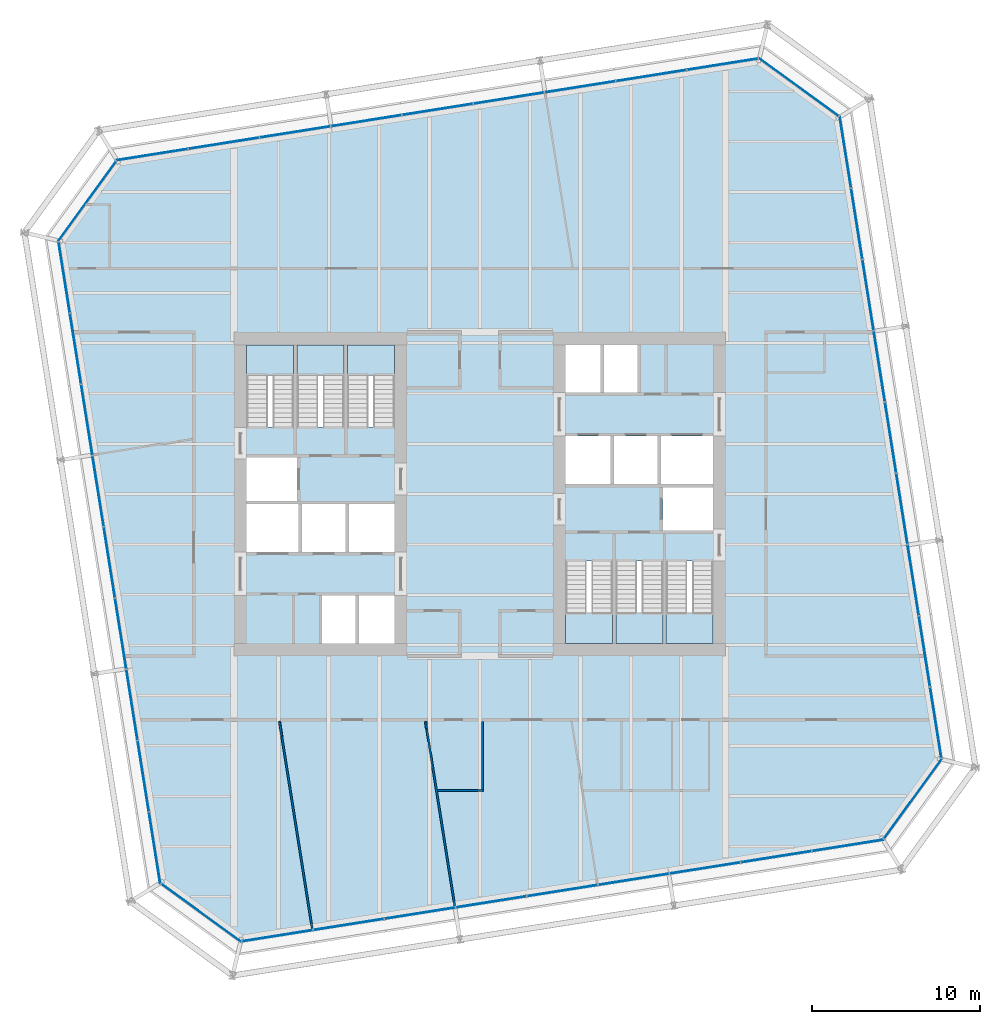
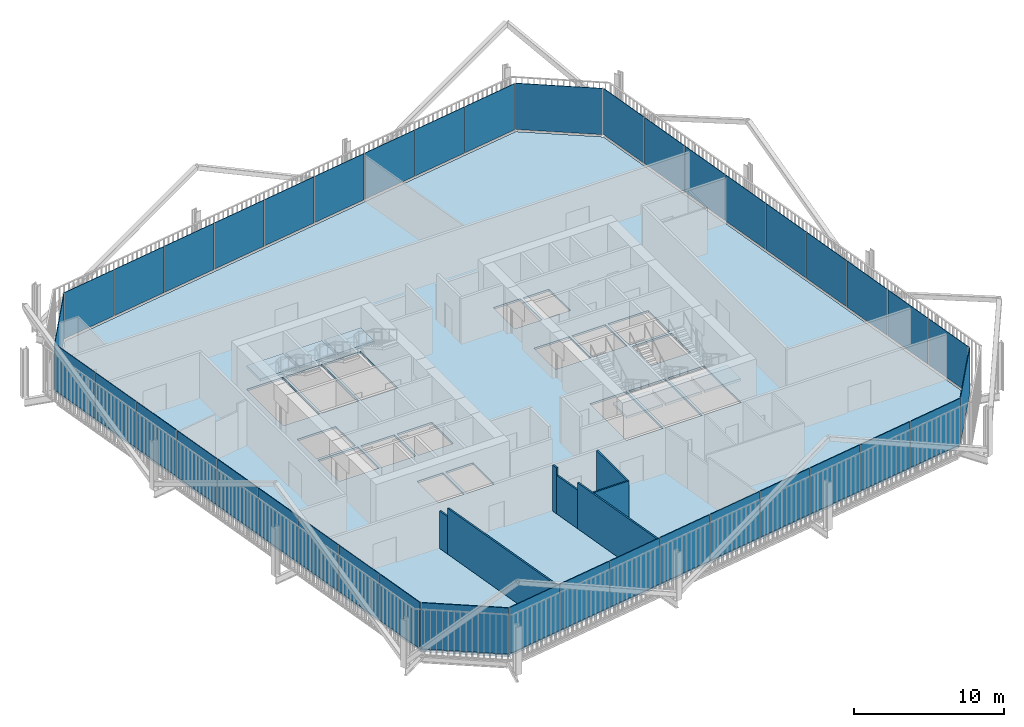
# One storey, part 17 of 22: 40 plates, 7 slabs, 7 walls, 14 elements without a shape of their own.
"""IFC4 building model written with IfcOpenShell, lengths in metres."""

from ifc_helpers import new_model, si_unit, direction, frame, frame_2d, origin, place, context, subcontext, project, spatial, polyline, rectangle, outline, extrude, material, layer, layer_set, type_object, element, aggregate, save


model = new_model("IFC4")

# Units and contexts
model_context = context("Model", 3, precision=1e-05, world=origin(), true_north=direction((0.0, 1.0)))
body_context = subcontext(model_context, "Body", "Model", "MODEL_VIEW")
ifc_project = project(units=[si_unit("LENGTHUNIT", "METRE"), si_unit("AREAUNIT", "SQUARE_METRE"), si_unit("VOLUMEUNIT", "CUBIC_METRE"), si_unit("PLANEANGLEUNIT", "RADIAN"), si_unit("MASSUNIT", "GRAM", prefix="KILO")], contexts=[model_context])

# Site, building, storey
site_placement = place(None, origin())
site = spatial("IfcSite", under=ifc_project, at=site_placement, CompositionType="ELEMENT")
building_placement = place(site_placement, origin())
building = spatial("IfcBuilding", under=site, at=building_placement, Name="Millrace Tower", CompositionType="ELEMENT")
storey_placement = place(building_placement, frame((0.0, 0.0, 145.10009765625)))
storey = spatial("IfcBuildingStorey", under=building, at=storey_placement, Name="L32", CompositionType="ELEMENT", Elevation=145.10009765625)

# Curtain wall, plate
ifc_material_1 = material(Name="Aluminium and glass", Category="aluminium")
ifc_layer_1 = layer(ifc_material_1, 0.14990234375)
ifc_layer_set_1 = layer_set([ifc_layer_1], Name="Aluminium and glass")
curtain_wall_type = type_object("IfcCurtainWallType", Name="CW-1 office vision curtain wall", PredefinedType="NOTDEFINED", material=ifc_layer_set_1)
placement_1 = place(storey_placement, origin())
curtain_wall_1 = element("IfcCurtainWall", 1, at=placement_1, inside=storey, type_object=curtain_wall_type, Name="Curtain wall C-F01 L32", PredefinedType="NOTDEFINED")
ifc_material_2 = material(Name="Glass", Category="glass")
ifc_layer_2 = layer(ifc_material_2, 0.0439453125)
ifc_layer_set_2 = layer_set([ifc_layer_2], Name="Glass")
plate_type = type_object("IfcPlateType", Name="CW-1 office vision curtain wall triple-glazed vision panel", PredefinedType="CURTAIN_PANEL", material=ifc_layer_set_2)
placement_2 = place(storey_placement, frame((0.0, 0.0, 0.139892578125)))
plate_1 = element("IfcPlate", 2, at=placement_2, type_object=plate_type, Name="CW1 panel C-F01.1", PredefinedType="CURTAIN_PANEL", context=body_context, shape_type="SweptSolid", body=[
    extrude(outline(polyline([(-18.988037109375, -23.254638671875), (-14.260009765625, -26.689697265625), (-14.2490234375, -26.6435546875), (-18.962158203125, -23.218994140625), (-18.988037109375, -23.254638671875)])), origin(), (0.0, 0.0, 1.0), 3.760009765625),
])
aggregate(curtain_wall_1, [plate_1])

# Curtain wall, plates
curtain_wall_2 = element("IfcCurtainWall", 3, at=placement_1, inside=storey, type_object=curtain_wall_type, Name="Curtain wall C-F02 L32", PredefinedType="NOTDEFINED")
plate_2 = element("IfcPlate", 4, at=placement_2, type_object=plate_type, Name="CW1 panel C-F02.1", PredefinedType="CURTAIN_PANEL", context=body_context, shape_type="SweptSolid", body=[
    extrude(outline(polyline([(-14.15625, -26.67333984375), (-9.973388671875, -26.0107421875), (-9.980224609375, -25.96728515625), (-14.1630859375, -26.6298828125), (-14.15625, -26.67333984375)])), origin(), (0.0, 0.0, 1.0), 3.760009765625),
])
plate_3 = element("IfcPlate", 5, at=placement_2, type_object=plate_type, Name="CW1 panel C-F02.2", PredefinedType="CURTAIN_PANEL", context=body_context, shape_type="SweptSolid", body=[
    extrude(outline(polyline([(-9.9091796875, -26.000732421875), (-5.726318359375, -25.338134765625), (-5.733154296875, -25.294677734375), (-9.916015625, -25.957275390625), (-9.9091796875, -26.000732421875)])), origin(), (0.0, 0.0, 1.0), 3.760009765625),
])
plate_4 = element("IfcPlate", 6, at=placement_2, type_object=plate_type, Name="CW1 panel C-F02.3", PredefinedType="CURTAIN_PANEL", context=body_context, shape_type="SweptSolid", body=[
    extrude(outline(polyline([(-5.662109375, -25.327880859375), (-1.479248046875, -24.66552734375), (-1.486083984375, -24.6220703125), (-5.6689453125, -25.284423828125), (-5.662109375, -25.327880859375)])), origin(), (0.0, 0.0, 1.0), 3.760009765625),
])
plate_5 = element("IfcPlate", 7, at=placement_2, type_object=plate_type, Name="CW1 panel C-F02.4", PredefinedType="CURTAIN_PANEL", context=body_context, shape_type="SweptSolid", body=[
    extrude(outline(polyline([(-1.4150390625, -24.6552734375), (2.767822265625, -23.992919921875), (2.760986328125, -23.949462890625), (-1.421875, -24.61181640625), (-1.4150390625, -24.6552734375)])), origin(), (0.0, 0.0, 1.0), 3.760009765625),
])
plate_6 = element("IfcPlate", 8, at=placement_2, type_object=plate_type, Name="CW1 panel C-F02.5", PredefinedType="CURTAIN_PANEL", context=body_context, shape_type="SweptSolid", body=[
    extrude(outline(polyline([(2.83203125, -23.982666015625), (7.014892578125, -23.320068359375), (7.008056640625, -23.276611328125), (2.8251953125, -23.939208984375), (2.83203125, -23.982666015625)])), origin(), (0.0, 0.0, 1.0), 3.760009765625),
])
plate_7 = element("IfcPlate", 9, at=placement_2, type_object=plate_type, Name="CW1 panel C-F02.6", PredefinedType="CURTAIN_PANEL", context=body_context, shape_type="SweptSolid", body=[
    extrude(outline(polyline([(7.0791015625, -23.31005859375), (11.261962890625, -22.6474609375), (11.255126953125, -22.60400390625), (7.072265625, -23.2666015625), (7.0791015625, -23.31005859375)])), origin(), (0.0, 0.0, 1.0), 3.760009765625),
])
plate_8 = element("IfcPlate", 10, at=placement_2, type_object=plate_type, Name="CW1 panel C-F02.7", PredefinedType="CURTAIN_PANEL", context=body_context, shape_type="SweptSolid", body=[
    extrude(outline(polyline([(11.326171875, -22.63720703125), (15.509033203125, -21.974853515625), (15.502197265625, -21.931396484375), (11.3193359375, -22.59375), (11.326171875, -22.63720703125)])), origin(), (0.0, 0.0, 1.0), 3.760009765625),
])
plate_9 = element("IfcPlate", 11, at=placement_2, type_object=plate_type, Name="CW1 panel C-F02.8", PredefinedType="CURTAIN_PANEL", context=body_context, shape_type="SweptSolid", body=[
    extrude(outline(polyline([(15.5732421875, -21.964599609375), (19.756103515625, -21.30224609375), (19.749267578125, -21.2587890625), (15.56640625, -21.921142578125), (15.5732421875, -21.964599609375)])), origin(), (0.0, 0.0, 1.0), 3.760009765625),
])
plate_10 = element("IfcPlate", 12, at=placement_2, type_object=plate_type, Name="CW1 panel C-F02.9", PredefinedType="CURTAIN_PANEL", context=body_context, shape_type="SweptSolid", body=[
    extrude(outline(polyline([(19.8203125, -21.2919921875), (24.042724609375, -20.623291015625), (24.01806640625, -20.58251953125), (19.8134765625, -21.24853515625), (19.8203125, -21.2919921875)])), origin(), (0.0, 0.0, 1.0), 3.760009765625),
])
aggregate(curtain_wall_2, [plate_2, plate_3, plate_4, plate_5, plate_6, plate_7, plate_8, plate_9, plate_10])

# Curtain wall, plate
curtain_wall_3 = element("IfcCurtainWall", 13, at=placement_1, inside=storey, type_object=curtain_wall_type, Name="Curtain wall C-F03 L32", PredefinedType="NOTDEFINED")
plate_11 = element("IfcPlate", 14, at=placement_2, type_object=plate_type, Name="CW1 panel C-F03.1", PredefinedType="CURTAIN_PANEL", context=body_context, shape_type="SweptSolid", body=[
    extrude(outline(polyline([(24.104736328125, -20.5380859375), (27.539794921875, -15.81005859375), (27.493408203125, -15.799072265625), (24.069091796875, -20.51220703125), (24.104736328125, -20.5380859375)])), origin(), (0.0, 0.0, 1.0), 3.760009765625),
])
aggregate(curtain_wall_3, [plate_11])

# Curtain wall, plates
curtain_wall_4 = element("IfcCurtainWall", 15, at=placement_1, inside=storey, type_object=curtain_wall_type, Name="Curtain wall C-F04 L32", PredefinedType="NOTDEFINED")
plate_12 = element("IfcPlate", 16, at=placement_2, type_object=plate_type, Name="CW1 panel C-F04.1", PredefinedType="CURTAIN_PANEL", context=body_context, shape_type="SweptSolid", body=[
    extrude(outline(polyline([(27.5234375, -15.706298828125), (26.86083984375, -11.5234375), (26.8173828125, -11.5302734375), (27.47998046875, -15.713134765625), (27.5234375, -15.706298828125)])), origin(), (0.0, 0.0, 1.0), 3.760009765625),
])
plate_13 = element("IfcPlate", 17, at=placement_2, type_object=plate_type, Name="CW1 panel C-F04.2", PredefinedType="CURTAIN_PANEL", context=body_context, shape_type="SweptSolid", body=[
    extrude(outline(polyline([(26.8505859375, -11.459228515625), (26.188232421875, -7.2763671875), (26.144775390625, -7.283203125), (26.80712890625, -11.466064453125), (26.8505859375, -11.459228515625)])), origin(), (0.0, 0.0, 1.0), 3.760009765625),
])
plate_14 = element("IfcPlate", 18, at=placement_2, type_object=plate_type, Name="CW1 panel C-F04.3", PredefinedType="CURTAIN_PANEL", context=body_context, shape_type="SweptSolid", body=[
    extrude(outline(polyline([(26.177978515625, -7.212158203125), (25.515380859375, -3.029296875), (25.471923828125, -3.0361328125), (26.134521484375, -7.218994140625), (26.177978515625, -7.212158203125)])), origin(), (0.0, 0.0, 1.0), 3.760009765625),
])
plate_15 = element("IfcPlate", 19, at=placement_2, type_object=plate_type, Name="CW1 panel C-F04.4", PredefinedType="CURTAIN_PANEL", context=body_context, shape_type="SweptSolid", body=[
    extrude(outline(polyline([(25.50537109375, -2.965087890625), (24.8427734375, 1.2177734375), (24.79931640625, 1.2109375), (25.4619140625, -2.971923828125), (25.50537109375, -2.965087890625)])), origin(), (0.0, 0.0, 1.0), 3.760009765625),
])
plate_16 = element("IfcPlate", 20, at=placement_2, type_object=plate_type, Name="CW1 panel C-F04.5", PredefinedType="CURTAIN_PANEL", context=body_context, shape_type="SweptSolid", body=[
    extrude(outline(polyline([(24.832763671875, 1.281982421875), (24.170166015625, 5.46484375), (24.126708984375, 5.4580078125), (24.789306640625, 1.275146484375), (24.832763671875, 1.281982421875)])), origin(), (0.0, 0.0, 1.0), 3.760009765625),
])
plate_17 = element("IfcPlate", 21, at=placement_2, type_object=plate_type, Name="CW1 panel C-F04.6", PredefinedType="CURTAIN_PANEL", context=body_context, shape_type="SweptSolid", body=[
    extrude(outline(polyline([(24.159912109375, 5.529052734375), (23.49755859375, 9.7119140625), (23.4541015625, 9.705078125), (24.116455078125, 5.522216796875), (24.159912109375, 5.529052734375)])), origin(), (0.0, 0.0, 1.0), 3.760009765625),
])
plate_18 = element("IfcPlate", 22, at=placement_2, type_object=plate_type, Name="CW1 panel C-F04.7", PredefinedType="CURTAIN_PANEL", context=body_context, shape_type="SweptSolid", body=[
    extrude(outline(polyline([(23.4873046875, 9.776123046875), (22.82470703125, 13.958984375), (22.78125, 13.9521484375), (23.44384765625, 9.769287109375), (23.4873046875, 9.776123046875)])), origin(), (0.0, 0.0, 1.0), 3.760009765625),
])
plate_19 = element("IfcPlate", 23, at=placement_2, type_object=plate_type, Name="CW1 panel C-F04.8", PredefinedType="CURTAIN_PANEL", context=body_context, shape_type="SweptSolid", body=[
    extrude(outline(polyline([(22.814697265625, 14.023193359375), (22.152099609375, 18.2060546875), (22.108642578125, 18.19921875), (22.771240234375, 14.016357421875), (22.814697265625, 14.023193359375)])), origin(), (0.0, 0.0, 1.0), 3.760009765625),
])
plate_20 = element("IfcPlate", 24, at=placement_2, type_object=plate_type, Name="CW1 panel C-F04.9", PredefinedType="CURTAIN_PANEL", context=body_context, shape_type="SweptSolid", body=[
    extrude(outline(polyline([(22.14208984375, 18.270263671875), (21.47314453125, 22.492919921875), (21.4326171875, 22.468017578125), (22.0986328125, 18.263427734375), (22.14208984375, 18.270263671875)])), origin(), (0.0, 0.0, 1.0), 3.760009765625),
])
aggregate(curtain_wall_4, [plate_12, plate_13, plate_14, plate_15, plate_16, plate_17, plate_18, plate_19, plate_20])

# Curtain wall, plate
curtain_wall_5 = element("IfcCurtainWall", 25, at=placement_1, inside=storey, type_object=curtain_wall_type, Name="Curtain wall C-F05 L32", PredefinedType="NOTDEFINED")
plate_21 = element("IfcPlate", 26, at=placement_2, type_object=plate_type, Name="CW1 panel C-F05.1", PredefinedType="CURTAIN_PANEL", context=body_context, shape_type="SweptSolid", body=[
    extrude(outline(polyline([(21.38818359375, 22.5546875), (16.66015625, 25.98974609375), (16.64892578125, 25.943359375), (21.3623046875, 22.51904296875), (21.38818359375, 22.5546875)])), origin(), (0.0, 0.0, 1.0), 3.760009765625),
])
aggregate(curtain_wall_5, [plate_21])

# Curtain wall, plates
curtain_wall_6 = element("IfcCurtainWall", 27, at=placement_1, inside=storey, type_object=curtain_wall_type, Name="Curtain wall C-F06 L32", PredefinedType="NOTDEFINED")
plate_22 = element("IfcPlate", 28, at=placement_2, type_object=plate_type, Name="CW1 panel C-F06.1", PredefinedType="CURTAIN_PANEL", context=body_context, shape_type="SweptSolid", body=[
    extrude(outline(polyline([(16.55615234375, 25.973388671875), (12.373291015625, 25.310791015625), (12.380126953125, 25.267333984375), (16.56298828125, 25.929931640625), (16.55615234375, 25.973388671875)])), origin(), (0.0, 0.0, 1.0), 3.760009765625),
])
plate_23 = element("IfcPlate", 29, at=placement_2, type_object=plate_type, Name="CW1 panel C-F06.2", PredefinedType="CURTAIN_PANEL", context=body_context, shape_type="SweptSolid", body=[
    extrude(outline(polyline([(12.30908203125, 25.300537109375), (8.126220703125, 24.63818359375), (8.133056640625, 24.5947265625), (12.31591796875, 25.257080078125), (12.30908203125, 25.300537109375)])), origin(), (0.0, 0.0, 1.0), 3.760009765625),
])
plate_24 = element("IfcPlate", 30, at=placement_2, type_object=plate_type, Name="CW1 panel C-F06.3", PredefinedType="CURTAIN_PANEL", context=body_context, shape_type="SweptSolid", body=[
    extrude(outline(polyline([(8.06201171875, 24.6279296875), (3.879150390625, 23.965576171875), (3.885986328125, 23.922119140625), (8.06884765625, 24.58447265625), (8.06201171875, 24.6279296875)])), origin(), (0.0, 0.0, 1.0), 3.760009765625),
])
plate_25 = element("IfcPlate", 31, at=placement_2, type_object=plate_type, Name="CW1 panel C-F06.4", PredefinedType="CURTAIN_PANEL", context=body_context, shape_type="SweptSolid", body=[
    extrude(outline(polyline([(3.81494140625, 23.955322265625), (-0.367919921875, 23.292724609375), (-0.361083984375, 23.249267578125), (3.82177734375, 23.911865234375), (3.81494140625, 23.955322265625)])), origin(), (0.0, 0.0, 1.0), 3.760009765625),
])
plate_26 = element("IfcPlate", 32, at=placement_2, type_object=plate_type, Name="CW1 panel C-F06.5", PredefinedType="CURTAIN_PANEL", context=body_context, shape_type="SweptSolid", body=[
    extrude(outline(polyline([(-0.43212890625, 23.28271484375), (-4.614990234375, 22.6201171875), (-4.60791015625, 22.57666015625), (-0.42529296875, 23.2392578125), (-0.43212890625, 23.28271484375)])), origin(), (0.0, 0.0, 1.0), 3.760009765625),
])
plate_27 = element("IfcPlate", 33, at=placement_2, type_object=plate_type, Name="CW1 panel C-F06.6", PredefinedType="CURTAIN_PANEL", context=body_context, shape_type="SweptSolid", body=[
    extrude(outline(polyline([(-4.67919921875, 22.60986328125), (-8.862060546875, 21.947509765625), (-8.85498046875, 21.904052734375), (-4.672119140625, 22.56640625), (-4.67919921875, 22.60986328125)])), origin(), (0.0, 0.0, 1.0), 3.760009765625),
])
plate_28 = element("IfcPlate", 34, at=placement_2, type_object=plate_type, Name="CW1 panel C-F06.7", PredefinedType="CURTAIN_PANEL", context=body_context, shape_type="SweptSolid", body=[
    extrude(outline(polyline([(-8.92626953125, 21.937255859375), (-13.109130859375, 21.27490234375), (-13.10205078125, 21.2314453125), (-8.919189453125, 21.893798828125), (-8.92626953125, 21.937255859375)])), origin(), (0.0, 0.0, 1.0), 3.760009765625),
])
plate_29 = element("IfcPlate", 35, at=placement_2, type_object=plate_type, Name="CW1 panel C-F06.8", PredefinedType="CURTAIN_PANEL", context=body_context, shape_type="SweptSolid", body=[
    extrude(outline(polyline([(-13.17333984375, 21.2646484375), (-17.356201171875, 20.60205078125), (-17.34912109375, 20.55859375), (-13.166259765625, 21.22119140625), (-13.17333984375, 21.2646484375)])), origin(), (0.0, 0.0, 1.0), 3.760009765625),
])
plate_30 = element("IfcPlate", 36, at=placement_2, type_object=plate_type, Name="CW1 panel C-F06.9", PredefinedType="CURTAIN_PANEL", context=body_context, shape_type="SweptSolid", body=[
    extrude(outline(polyline([(-17.42041015625, 20.592041015625), (-21.642822265625, 19.923095703125), (-21.617919921875, 19.882568359375), (-17.413330078125, 20.548583984375), (-17.42041015625, 20.592041015625)])), origin(), (0.0, 0.0, 1.0), 3.760009765625),
])
aggregate(curtain_wall_6, [plate_22, plate_23, plate_24, plate_25, plate_26, plate_27, plate_28, plate_29, plate_30])

# Curtain wall, plate
curtain_wall_7 = element("IfcCurtainWall", 37, at=placement_1, inside=storey, type_object=curtain_wall_type, Name="Curtain wall C-F07 L32", PredefinedType="NOTDEFINED")
plate_31 = element("IfcPlate", 38, at=placement_2, type_object=plate_type, Name="CW1 panel C-F07.1", PredefinedType="CURTAIN_PANEL", context=body_context, shape_type="SweptSolid", body=[
    extrude(outline(polyline([(-21.70458984375, 19.838134765625), (-25.139892578125, 15.110107421875), (-25.093505859375, 15.098876953125), (-21.6689453125, 19.812255859375), (-21.70458984375, 19.838134765625)])), origin(), (0.0, 0.0, 1.0), 3.760009765625),
])
aggregate(curtain_wall_7, [plate_31])

# Curtain wall, plates
curtain_wall_8 = element("IfcCurtainWall", 39, at=placement_1, inside=storey, type_object=curtain_wall_type, Name="Curtain wall C-F08 L32", PredefinedType="NOTDEFINED")
plate_32 = element("IfcPlate", 40, at=placement_2, type_object=plate_type, Name="CW1 panel C-F08.1", PredefinedType="CURTAIN_PANEL", context=body_context, shape_type="SweptSolid", body=[
    extrude(outline(polyline([(-25.123291015625, 15.006103515625), (-24.4609375, 10.8232421875), (-24.41748046875, 10.830322265625), (-25.079833984375, 15.01318359375), (-25.123291015625, 15.006103515625)])), origin(), (0.0, 0.0, 1.0), 3.760009765625),
])
plate_33 = element("IfcPlate", 41, at=placement_2, type_object=plate_type, Name="CW1 panel C-F08.2", PredefinedType="CURTAIN_PANEL", context=body_context, shape_type="SweptSolid", body=[
    extrude(outline(polyline([(-24.45068359375, 10.759033203125), (-23.7880859375, 6.576171875), (-23.74462890625, 6.583251953125), (-24.4072265625, 10.76611328125), (-24.45068359375, 10.759033203125)])), origin(), (0.0, 0.0, 1.0), 3.760009765625),
])
plate_34 = element("IfcPlate", 42, at=placement_2, type_object=plate_type, Name="CW1 panel C-F08.3", PredefinedType="CURTAIN_PANEL", context=body_context, shape_type="SweptSolid", body=[
    extrude(outline(polyline([(-23.778076171875, 6.511962890625), (-23.115478515625, 2.3291015625), (-23.072021484375, 2.336181640625), (-23.734619140625, 6.51904296875), (-23.778076171875, 6.511962890625)])), origin(), (0.0, 0.0, 1.0), 3.760009765625),
])
plate_35 = element("IfcPlate", 43, at=placement_2, type_object=plate_type, Name="CW1 panel C-F08.4", PredefinedType="CURTAIN_PANEL", context=body_context, shape_type="SweptSolid", body=[
    extrude(outline(polyline([(-23.105224609375, 2.264892578125), (-22.44287109375, -1.91796875), (-22.3994140625, -1.910888671875), (-23.061767578125, 2.27197265625), (-23.105224609375, 2.264892578125)])), origin(), (0.0, 0.0, 1.0), 3.760009765625),
])
plate_36 = element("IfcPlate", 44, at=placement_2, type_object=plate_type, Name="CW1 panel C-F08.5", PredefinedType="CURTAIN_PANEL", context=body_context, shape_type="SweptSolid", body=[
    extrude(outline(polyline([(-22.4326171875, -1.98193359375), (-21.770263671875, -6.164794921875), (-21.726806640625, -6.157958984375), (-22.38916015625, -1.97509765625), (-22.4326171875, -1.98193359375)])), origin(), (0.0, 0.0, 1.0), 3.760009765625),
])
plate_37 = element("IfcPlate", 45, at=placement_2, type_object=plate_type, Name="CW1 panel C-F08.6", PredefinedType="CURTAIN_PANEL", context=body_context, shape_type="SweptSolid", body=[
    extrude(outline(polyline([(-21.760009765625, -6.22900390625), (-21.097412109375, -10.411865234375), (-21.053955078125, -10.405029296875), (-21.716552734375, -6.22216796875), (-21.760009765625, -6.22900390625)])), origin(), (0.0, 0.0, 1.0), 3.760009765625),
])
plate_38 = element("IfcPlate", 46, at=placement_2, type_object=plate_type, Name="CW1 panel C-F08.7", PredefinedType="CURTAIN_PANEL", context=body_context, shape_type="SweptSolid", body=[
    extrude(outline(polyline([(-21.08740234375, -10.47607421875), (-20.4248046875, -14.658935546875), (-20.38134765625, -14.652099609375), (-21.0439453125, -10.46923828125), (-21.08740234375, -10.47607421875)])), origin(), (0.0, 0.0, 1.0), 3.760009765625),
])
plate_39 = element("IfcPlate", 47, at=placement_2, type_object=plate_type, Name="CW1 panel C-F08.8", PredefinedType="CURTAIN_PANEL", context=body_context, shape_type="SweptSolid", body=[
    extrude(outline(polyline([(-20.41455078125, -14.72314453125), (-19.752197265625, -18.906005859375), (-19.708740234375, -18.899169921875), (-20.37109375, -14.71630859375), (-20.41455078125, -14.72314453125)])), origin(), (0.0, 0.0, 1.0), 3.760009765625),
])
plate_40 = element("IfcPlate", 48, at=placement_2, type_object=plate_type, Name="CW1 panel C-F08.9", PredefinedType="CURTAIN_PANEL", context=body_context, shape_type="SweptSolid", body=[
    extrude(outline(polyline([(-19.741943359375, -18.97021484375), (-19.0732421875, -23.19287109375), (-19.032470703125, -23.16796875), (-19.698486328125, -18.96337890625), (-19.741943359375, -18.97021484375)])), origin(), (0.0, 0.0, 1.0), 3.760009765625),
])
aggregate(curtain_wall_8, [plate_32, plate_33, plate_34, plate_35, plate_36, plate_37, plate_38, plate_39, plate_40])

# Slab
ifc_material_3 = material(Name="Concrete C35 on steel deck", Category="concrete")
ifc_layer_3 = layer(ifc_material_3, 0.159912109375)
ifc_layer_set_3 = layer_set([ifc_layer_3], Name="Concrete C35 on steel deck")
slab_type_1 = type_object("IfcSlabType", Name="Composite floor slab 160 mm", PredefinedType="FLOOR", material=ifc_layer_set_3)
slab_1_placement = place(storey_placement, frame((0.0, 0.0, -0.16015625)))
element("IfcSlab", 49, at=slab_1_placement, inside=storey, type_object=slab_type_1, Name="SL-C-L32-S1", PredefinedType="FLOOR", context=body_context, shape_type="SweptSolid", body=[
    extrude(outline(polyline([(-18.983642578125, -23.137939453125), (-14.235595703125, -26.587646484375), (23.988037109375, -20.53369140625), (27.437744140625, -15.78564453125), (21.3837890625, 22.43798828125), (16.635498046875, 25.8876953125), (-21.587890625, 19.833740234375), (-25.03759765625, 15.08544921875), (-18.983642578125, -23.137939453125)]), holes=[polyline([(-9.39990234375, -8.89990234375), (-7.39990234375, -8.89990234375), (-7.39990234375, -6.050048828125), (-9.39990234375, -6.050048828125), (-9.39990234375, -8.89990234375)]), polyline([(-7.199951171875, -8.89990234375), (-5.10009765625, -8.89990234375), (-5.10009765625, -6.050048828125), (-7.199951171875, -6.050048828125), (-7.199951171875, -8.89990234375)]), polyline([(-13.89990234375, -3.449951171875), (-10.800048828125, -3.449951171875), (-10.800048828125, -0.60009765625), (-13.89990234375, -0.60009765625), (-13.89990234375, -3.449951171875)]), polyline([(-10.60009765625, -3.449951171875), (-8.0, -3.449951171875), (-8.0, -0.60009765625), (-10.60009765625, -0.60009765625), (-10.60009765625, -3.449951171875)]), polyline([(-7.800048828125, -3.449951171875), (-5.10009765625, -3.449951171875), (-5.10009765625, -0.60009765625), (-7.800048828125, -0.60009765625), (-7.800048828125, -3.449951171875)]), polyline([(-13.89990234375, -0.39990234375), (-10.89990234375, -0.39990234375), (-10.89990234375, 2.179931640625), (-13.89990234375, 2.179931640625), (-13.89990234375, -0.39990234375)]), polyline([(-13.89990234375, 4.0), (-11.10009765625, 4.0), (-11.10009765625, 8.89990234375), (-13.89990234375, 8.89990234375), (-13.89990234375, 4.0)]), polyline([(-10.89990234375, 4.0), (-8.10009765625, 4.0), (-8.10009765625, 8.89990234375), (-10.89990234375, 8.89990234375), (-10.89990234375, 4.0)]), polyline([(-7.89990234375, 4.0), (-5.10009765625, 4.0), (-5.10009765625, 8.89990234375), (-7.89990234375, 8.89990234375), (-7.89990234375, 4.0)]), polyline([(7.39990234375, 6.050048828125), (9.39990234375, 6.050048828125), (9.39990234375, 8.89990234375), (7.39990234375, 8.89990234375), (7.39990234375, 6.050048828125)]), polyline([(5.10009765625, 6.050048828125), (7.199951171875, 6.050048828125), (7.199951171875, 8.89990234375), (5.10009765625, 8.89990234375), (5.10009765625, 6.050048828125)]), polyline([(10.800048828125, 0.60009765625), (13.89990234375, 0.60009765625), (13.89990234375, 3.449951171875), (10.800048828125, 3.449951171875), (10.800048828125, 0.60009765625)]), polyline([(8.0, 0.60009765625), (10.60009765625, 0.60009765625), (10.60009765625, 3.449951171875), (8.0, 3.449951171875), (8.0, 0.60009765625)]), polyline([(5.10009765625, 0.60009765625), (7.800048828125, 0.60009765625), (7.800048828125, 3.449951171875), (5.10009765625, 3.449951171875), (5.10009765625, 0.60009765625)]), polyline([(10.89990234375, -2.179931640625), (13.89990234375, -2.179931640625), (13.89990234375, 0.39990234375), (10.89990234375, 0.39990234375), (10.89990234375, -2.179931640625)]), polyline([(11.10009765625, -8.89990234375), (13.89990234375, -8.89990234375), (13.89990234375, -4.0), (11.10009765625, -4.0), (11.10009765625, -8.89990234375)]), polyline([(8.10009765625, -8.89990234375), (10.89990234375, -8.89990234375), (10.89990234375, -4.0), (8.10009765625, -4.0), (8.10009765625, -8.89990234375)]), polyline([(5.10009765625, -8.89990234375), (7.89990234375, -8.89990234375), (7.89990234375, -4.0), (5.10009765625, -4.0), (5.10009765625, -8.89990234375)])]), origin(), (0.0, 0.0, 1.0), 0.16015625),
])

# Stair, slab
ifc_material_4 = material(Name="Concrete C35", Category="concrete")
stair_type = type_object("IfcStairType", Name="Exit stair", PredefinedType="HALF_TURN_STAIR", material=ifc_material_4)
stair_1 = element("IfcStair", 50, at=placement_1, inside=storey, type_object=stair_type, Name="Stair 1 W L32", PredefinedType="HALF_TURN_STAIR")
ifc_material_5 = material(Name="Concrete C40", Category="concrete")
ifc_layer_4 = layer(ifc_material_5, 0.199951171875)
ifc_layer_set_4 = layer_set([ifc_layer_4], Name="Concrete C40")
slab_type_2 = type_object("IfcSlabType", Name="Stair landing", PredefinedType="LANDING", material=ifc_layer_set_4)
placement_3 = place(storey_placement, frame((0.0, 0.0, 1.75)))
slab_2 = element("IfcSlab", 51, at=placement_3, type_object=slab_type_2, Name="ST12 landing 1", PredefinedType="LANDING", context=body_context, shape_type="SweptSolid", body=[
    extrude(outline(polyline([(-13.89990234375, 7.080078125), (-11.10009765625, 7.080078125), (-11.10009765625, 8.89990234375), (-13.89990234375, 8.89990234375), (-13.89990234375, 7.080078125)])), origin(), (0.0, 0.0, 1.0), 0.199951171875),
])
aggregate(stair_1, [slab_2])

stair_2 = element("IfcStair", 52, at=placement_1, inside=storey, type_object=stair_type, Name="Stair 2 W L32", PredefinedType="HALF_TURN_STAIR")
slab_3 = element("IfcSlab", 53, at=placement_3, type_object=slab_type_2, Name="ST12 landing 1", PredefinedType="LANDING", context=body_context, shape_type="SweptSolid", body=[
    extrude(outline(polyline([(-10.89990234375, 7.080078125), (-8.10009765625, 7.080078125), (-8.10009765625, 8.89990234375), (-10.89990234375, 8.89990234375), (-10.89990234375, 7.080078125)])), origin(), (0.0, 0.0, 1.0), 0.199951171875),
])
aggregate(stair_2, [slab_3])

stair_3 = element("IfcStair", 54, at=placement_1, inside=storey, type_object=stair_type, Name="Stair 3 W L32", PredefinedType="HALF_TURN_STAIR")
slab_4 = element("IfcSlab", 55, at=placement_3, type_object=slab_type_2, Name="ST12 landing 1", PredefinedType="LANDING", context=body_context, shape_type="SweptSolid", body=[
    extrude(outline(polyline([(-7.89990234375, 7.080078125), (-5.10009765625, 7.080078125), (-5.10009765625, 8.89990234375), (-7.89990234375, 8.89990234375), (-7.89990234375, 7.080078125)])), origin(), (0.0, 0.0, 1.0), 0.199951171875),
])
aggregate(stair_3, [slab_4])

stair_4 = element("IfcStair", 56, at=placement_1, inside=storey, type_object=stair_type, Name="Stair 1 E L32", PredefinedType="HALF_TURN_STAIR")
slab_5 = element("IfcSlab", 57, at=placement_3, type_object=slab_type_2, Name="ST12 landing 1", PredefinedType="LANDING", context=body_context, shape_type="SweptSolid", body=[
    extrude(outline(polyline([(11.10009765625, -8.89990234375), (13.89990234375, -8.89990234375), (13.89990234375, -7.080078125), (11.10009765625, -7.080078125), (11.10009765625, -8.89990234375)])), origin(), (0.0, 0.0, 1.0), 0.199951171875),
])
aggregate(stair_4, [slab_5])

stair_5 = element("IfcStair", 58, at=placement_1, inside=storey, type_object=stair_type, Name="Stair 2 E L32", PredefinedType="HALF_TURN_STAIR")
slab_6 = element("IfcSlab", 59, at=placement_3, type_object=slab_type_2, Name="ST12 landing 1", PredefinedType="LANDING", context=body_context, shape_type="SweptSolid", body=[
    extrude(outline(polyline([(8.10009765625, -8.89990234375), (10.89990234375, -8.89990234375), (10.89990234375, -7.080078125), (8.10009765625, -7.080078125), (8.10009765625, -8.89990234375)])), origin(), (0.0, 0.0, 1.0), 0.199951171875),
])
aggregate(stair_5, [slab_6])

stair_6 = element("IfcStair", 60, at=placement_1, inside=storey, type_object=stair_type, Name="Stair 3 E L32", PredefinedType="HALF_TURN_STAIR")
slab_7 = element("IfcSlab", 61, at=placement_3, type_object=slab_type_2, Name="ST12 landing 1", PredefinedType="LANDING", context=body_context, shape_type="SweptSolid", body=[
    extrude(outline(polyline([(5.10009765625, -8.89990234375), (7.89990234375, -8.89990234375), (7.89990234375, -7.080078125), (5.10009765625, -7.080078125), (5.10009765625, -8.89990234375)])), origin(), (0.0, 0.0, 1.0), 0.199951171875),
])
aggregate(stair_6, [slab_7])

# Walls
ifc_material_6 = material(Name="Gypsum board partition")
ifc_layer_5 = layer(ifc_material_6, 0.1201171875)
ifc_layer_set_5 = layer_set([ifc_layer_5], Name="Gypsum board partition")
wall_type = type_object("IfcWallType", Name="Partition wall 120", PredefinedType="PARTITIONING", material=ifc_layer_set_5)
wall_1_placement = place(storey_placement, frame((-11.947265625, -13.548828125, 0.0), z_axis=(0.0, 0.0, 1.0), x_axis=(0.15631155546, -0.987707799721, 0.0)))
element("IfcWall", 62, at=wall_1_placement, inside=storey, type_object=wall_type, Name="Partition wall L32", PredefinedType="PARTITIONING", context=body_context, shape_type="SweptSolid", body=[
    extrude(rectangle(XDim=0.862060546875, YDim=0.1201171875, at=frame_2d((0.43115234375, 0.0))), origin(), (0.0, 0.0, 1.0), 3.04638671875),
])
wall_2_placement = place(storey_placement, frame((-11.8125, -14.400390625, 0.0), z_axis=(0.0, 0.0, 1.0), x_axis=(0.156430221344, -0.987689012721, 0.0)))
element("IfcWall", 63, at=wall_2_placement, inside=storey, type_object=wall_type, Name="Partition wall L32", PredefinedType="PARTITIONING", context=body_context, shape_type="SweptSolid", body=[
    extrude(rectangle(XDim=11.68798828125, YDim=0.1201171875, at=frame_2d((5.843994140625, 0.0))), origin(), (0.0, 0.0, 1.0), 3.739990234375),
])
wall_3_placement = place(storey_placement, frame((-3.240234375, -13.548828125, 0.0), z_axis=(0.0, 0.0, 1.0), x_axis=(0.15660825182, -0.9876607998, 0.0)))
element("IfcWall", 64, at=wall_3_placement, inside=storey, type_object=wall_type, Name="Partition wall L32", PredefinedType="PARTITIONING", context=body_context, shape_type="SweptSolid", body=[
    extrude(rectangle(XDim=0.42724609375, YDim=0.1201171875, at=frame_2d((0.213623046875, 0.0))), origin(), (0.0, 0.0, 1.0), 3.739990234375),
])
wall_4_placement = place(storey_placement, frame((-3.17333984375, -13.970703125, 0.0), z_axis=(0.0, 0.0, 1.0), x_axis=(0.156528601046, -0.987673426318, 0.0)))
element("IfcWall", 65, at=wall_4_placement, inside=storey, type_object=wall_type, Name="Partition wall L32", PredefinedType="PARTITIONING", context=body_context, shape_type="SweptSolid", body=[
    extrude(rectangle(XDim=2.21484375, YDim=0.1201171875, at=frame_2d((1.107421875, 0.0))), origin(), (0.0, 0.0, 1.0), 3.1328125),
])
wall_5_placement = place(storey_placement, frame((-2.82666015625, -16.158203125, 0.0), z_axis=(0.0, 0.0, 1.0), x_axis=(0.156629989726, -0.987657352688, 0.0)))
element("IfcWall", 66, at=wall_5_placement, inside=storey, type_object=wall_type, Name="Partition wall L32", PredefinedType="PARTITIONING", context=body_context, shape_type="SweptSolid", body=[
    extrude(rectangle(XDim=8.54638671875, YDim=0.1201171875, at=frame_2d((4.273193359375, 0.0))), origin(), (0.0, 0.0, 1.0), 3.739990234375),
])
wall_6_placement = place(storey_placement, frame((-2.530029296875, -17.64990234375, 0.0), z_axis=(0.0, 0.0, 1.0), x_axis=(1.0, 0.0, 0.0)))
element("IfcWall", 67, at=wall_6_placement, inside=storey, type_object=wall_type, Name="Partition wall L32", PredefinedType="PARTITIONING", context=body_context, shape_type="SweptSolid", body=[
    extrude(rectangle(XDim=2.734130859375, YDim=0.1201171875, at=frame_2d((1.3671875, 0.0))), origin(), (0.0, 0.0, 1.0), 3.739990234375),
])
wall_7_placement = place(storey_placement, frame((0.14404296875, -17.590087890625, 0.0), z_axis=(0.0, 0.0, 1.0), x_axis=(0.0, 1.0, 0.0)))
element("IfcWall", 68, at=wall_7_placement, inside=storey, type_object=wall_type, Name="Partition wall L32", PredefinedType="PARTITIONING", context=body_context, shape_type="SweptSolid", body=[
    extrude(rectangle(XDim=4.0400390625, YDim=0.1201171875, at=frame_2d((2.02001953125, 0.0))), origin(), (0.0, 0.0, 1.0), 3.739990234375),
])

save(model, "model.ifc")
